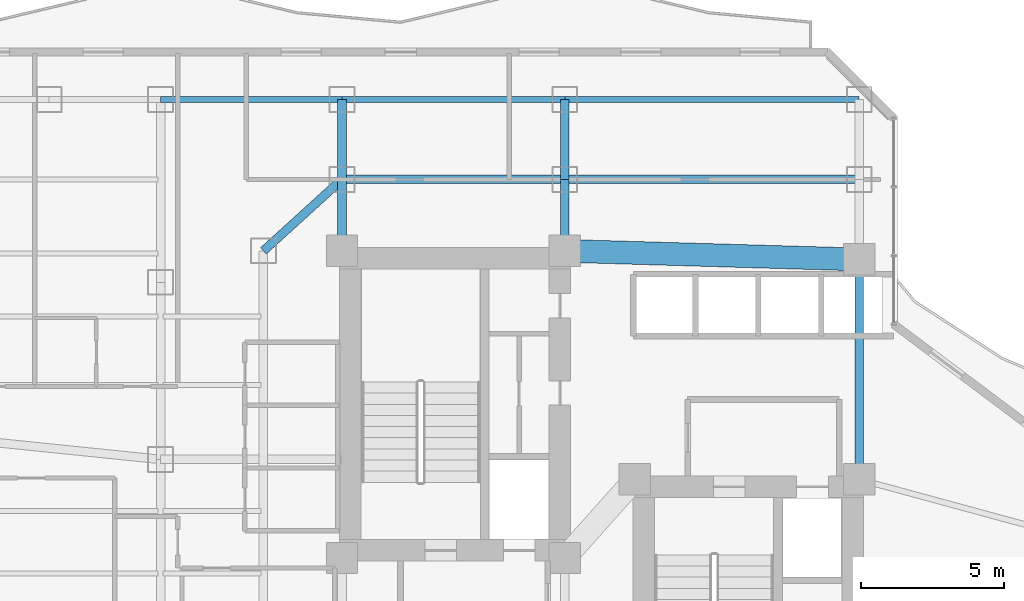
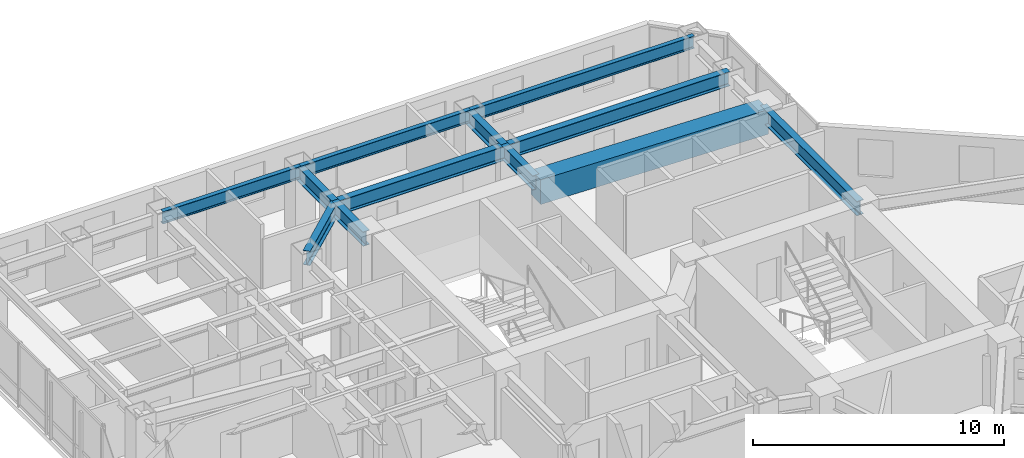
# One storey, part 18 of 30: 12 beams.
"""IFC4 building model written with IfcOpenShell, lengths in metres."""

from ifc_helpers import new_model, si_unit, direction, frame, origin, origin_2d, place, context, subcontext, project, spatial, rectangle, i_section, extrude, material, material_profile, profile_set, type_object, element, save


model = new_model("IFC4")

# Units and contexts
model_context = context("Model", 3, precision=1e-05, world=origin(), true_north=direction((0.0, 1.0)))
body_context = subcontext(model_context, "Body", "Model", "MODEL_VIEW")
ifc_project = project(units=[si_unit("LENGTHUNIT", "METRE"), si_unit("AREAUNIT", "SQUARE_METRE"), si_unit("VOLUMEUNIT", "CUBIC_METRE"), si_unit("PLANEANGLEUNIT", "RADIAN"), si_unit("MASSUNIT", "GRAM", prefix="KILO")], contexts=[model_context])

# Site, building, storey
site_placement = place(None, origin())
site = spatial("IfcSite", under=ifc_project, at=site_placement, CompositionType="ELEMENT")
building_placement = place(site_placement, origin())
building = spatial("IfcBuilding", under=site, at=building_placement, Name="Hatsunagi Terrace Concourse", CompositionType="ELEMENT")
storey_placement = place(building_placement, frame((0.0, 0.0, 74.60009765625)))
storey = spatial("IfcBuildingStorey", under=building, at=storey_placement, Name="L19", CompositionType="ELEMENT", Elevation=74.60009765625)

# Beams
ifc_material_1 = material(Name="Concrete Fc60", Category="concrete")
ifc_material_profile_1 = material_profile(ifc_material_1, rectangle(XDim=0.800048828125, YDim=1.199951171875, at=origin_2d()), Name="RC-800x1200")
ifc_profile_set_1 = profile_set([ifc_material_profile_1], Name="Concrete Fc60")
beam_type_1 = type_object("IfcBeamType", Name="CoreCouplingBeam_RC_800x1200", PredefinedType="BEAM", material=ifc_profile_set_1)
beam_1_placement = place(storey_placement, frame((33.35009765625, 43.300048828125, 2.52978515625), z_axis=(0.999575947545, -0.029119153303, 0.0), x_axis=(0.029119153303, 0.999575947545, 0.0)))
element("IfcBeam", 1, at=beam_1_placement, inside=storey, type_object=beam_type_1, Name="Beam CB-01 CB-L19-2", PredefinedType="BEAM", context=body_context, shape_type="SweptSolid", body=[
    extrude(rectangle(XDim=0.800048828125, YDim=1.199951171875, at=origin_2d()), origin(), (0.0, 0.0, 1.0), 10.30419921875),
])
ifc_material_2 = material(Name="Steel SN490B", Category="steel")
ifc_material_profile_2 = material_profile(ifc_material_2, i_section(OverallWidth=0.300048828125, OverallDepth=0.699951171875, WebThickness=0.012939453125, FlangeThickness=0.02392578125, FilletRadius=0.02197265625, at=origin_2d()), Name="H-700x300x13x24")
ifc_profile_set_2 = profile_set([ifc_material_profile_2], Name="Steel SN490B")
beam_type_2 = type_object("IfcBeamType", Name="HotelFloorGirder_H_700x300", PredefinedType="BEAM", material=ifc_profile_set_2)
beam_2_placement = place(storey_placement, frame((43.64990234375, 35.300048828125, 2.77978515625), z_axis=(0.0, 1.0, 0.0), x_axis=(-1.0, 0.0, 0.0)))
element("IfcBeam", 2, at=beam_2_placement, inside=storey, type_object=beam_type_2, Name="Beam G-04 BM-L19-CBK3", PredefinedType="BEAM", context=body_context, shape_type="SweptSolid", body=[
    extrude(i_section(OverallWidth=0.300048828125, OverallDepth=0.699951171875, WebThickness=0.012939453125, FlangeThickness=0.02392578125, FilletRadius=0.02197265625, at=origin_2d()), origin(), (0.0, 0.0, 1.0), 7.699951171875),
])
for number, where, z_axis, x_axis, name in (
    (3, (25.550048828125, 43.300048828125, 2.77978515625), (0.0, 1.0, 0.0), (-1.0, 0.0, 0.0), "Beam G-04 BM-L19-CN1"),
    (4, (33.35009765625, 43.300048828125, 2.77978515625), (0.0, 1.0, 0.0), (-1.0, 0.0, 0.0), "Beam G-04 BM-L19-CN2"),
):
    element("IfcBeam", number, at=place(storey_placement, frame(where, z_axis=z_axis, x_axis=x_axis)), inside=storey, type_object=beam_type_2, Name=name, PredefinedType="BEAM", context=body_context, shape_type="SweptSolid", body=[
        extrude(i_section(OverallWidth=0.300048828125, OverallDepth=0.699951171875, WebThickness=0.012939453125, FlangeThickness=0.02392578125, FilletRadius=0.02197265625, at=origin_2d()), origin(), (0.0, 0.0, 1.0), 2.5),
    ])
beam_3_placement = place(storey_placement, frame((25.550048828125, 45.800048828125, 2.77978515625), z_axis=(1.0, 0.0, 0.0), x_axis=(0.0, 1.0, 0.0)))
element("IfcBeam", 5, at=beam_3_placement, inside=storey, type_object=beam_type_2, Name="Beam G-04 BM-L19-CNEW1", PredefinedType="BEAM", context=body_context, shape_type="SweptSolid", body=[
    extrude(i_section(OverallWidth=0.300048828125, OverallDepth=0.699951171875, WebThickness=0.012939453125, FlangeThickness=0.02392578125, FilletRadius=0.02197265625, at=origin_2d()), origin(), (0.0, 0.0, 1.0), 7.800048828125),
])
beam_4_placement = place(storey_placement, frame((33.35009765625, 45.800048828125, 2.77978515625), z_axis=(1.0, 0.0, 0.0), x_axis=(0.0, 1.0, 0.0)))
element("IfcBeam", 6, at=beam_4_placement, inside=storey, type_object=beam_type_2, Name="Beam G-04 BM-L19-CNEW2", PredefinedType="BEAM", context=body_context, shape_type="SweptSolid", body=[
    extrude(i_section(OverallWidth=0.300048828125, OverallDepth=0.699951171875, WebThickness=0.012939453125, FlangeThickness=0.02392578125, FilletRadius=0.02197265625, at=origin_2d()), origin(), (0.0, 0.0, 1.0), 10.2998046875),
])
for number, where, z_axis, x_axis, name in (
    (7, (25.550048828125, 45.800048828125, 2.77978515625), (0.0, 1.0, 0.0), (-1.0, 0.0, 0.0), "Beam G-04 BM-L19-KN-WN4"),
    (8, (33.35009765625, 45.800048828125, 2.77978515625), (0.0, 1.0, 0.0), (-1.0, 0.0, 0.0), "Beam G-04 BM-L19-KN-WN5"),
):
    element("IfcBeam", number, at=place(storey_placement, frame(where, z_axis=z_axis, x_axis=x_axis)), inside=storey, type_object=beam_type_2, Name=name, PredefinedType="BEAM", context=body_context, shape_type="SweptSolid", body=[
        extrude(i_section(OverallWidth=0.300048828125, OverallDepth=0.699951171875, WebThickness=0.012939453125, FlangeThickness=0.02392578125, FilletRadius=0.02197265625, at=origin_2d()), origin(), (0.0, 0.0, 1.0), 2.800048828125),
    ])
beam_5_placement = place(storey_placement, frame((22.800048828125, 43.300048828125, 2.77978515625), z_axis=(0.739940073396, 0.672672793996, 0.0), x_axis=(-0.672672793996, 0.739940073396, 0.0)))
element("IfcBeam", 9, at=beam_5_placement, inside=storey, type_object=beam_type_2, Name="Beam G-04 BM-L19-CWEW-N", PredefinedType="BEAM", context=body_context, shape_type="SweptSolid", body=[
    extrude(i_section(OverallWidth=0.300048828125, OverallDepth=0.699951171875, WebThickness=0.012939453125, FlangeThickness=0.02392578125, FilletRadius=0.02197265625, at=origin_2d()), origin(), (0.0, 0.0, 1.0), 3.716552734375),
])
ifc_material_3 = material(Name="Steel SN490B", Category="steel")
ifc_material_profile_3 = material_profile(ifc_material_3, i_section(OverallWidth=0.199951171875, OverallDepth=0.60009765625, WebThickness=0.010986328125, FlangeThickness=0.01708984375, FilletRadius=0.01806640625, at=origin_2d()), Name="H-600x200x11x17")
ifc_profile_set_3 = profile_set([ifc_material_profile_3], Name="Steel SN490B")
beam_type_3 = type_object("IfcBeamType", Name="PerimeterSpandrel_H_600x200", PredefinedType="SPANDREL", material=ifc_profile_set_3)
beam_6_placement = place(storey_placement, frame((19.199951171875, 48.60009765625, 2.829833984375), z_axis=(1.0, 0.0, 0.0), x_axis=(0.0, 1.0, 0.0)))
element("IfcBeam", 10, at=beam_6_placement, inside=storey, type_object=beam_type_3, Name="Beam SP-01 BM-L19-WN-19", PredefinedType="SPANDREL", context=body_context, shape_type="SweptSolid", body=[
    extrude(i_section(OverallWidth=0.199951171875, OverallDepth=0.60009765625, WebThickness=0.010986328125, FlangeThickness=0.01708984375, FilletRadius=0.01806640625, at=origin_2d()), origin(), (0.0, 0.0, 1.0), 6.35009765625),
])
beam_7_placement = place(storey_placement, frame((25.550048828125, 48.60009765625, 2.829833984375), z_axis=(1.0, 0.0, 0.0), x_axis=(0.0, 1.0, 0.0)))
element("IfcBeam", 11, at=beam_7_placement, inside=storey, type_object=beam_type_3, Name="Beam SP-01 BM-L19-WN-25", PredefinedType="SPANDREL", context=body_context, shape_type="SweptSolid", body=[
    extrude(i_section(OverallWidth=0.199951171875, OverallDepth=0.60009765625, WebThickness=0.010986328125, FlangeThickness=0.01708984375, FilletRadius=0.01806640625, at=origin_2d()), origin(), (0.0, 0.0, 1.0), 7.800048828125),
])
beam_8_placement = place(storey_placement, frame((33.35009765625, 48.60009765625, 2.829833984375), z_axis=(1.0, 0.0, 0.0), x_axis=(0.0, 1.0, 0.0)))
element("IfcBeam", 12, at=beam_8_placement, inside=storey, type_object=beam_type_3, Name="Beam SP-01 BM-L19-WN-33", PredefinedType="SPANDREL", context=body_context, shape_type="SweptSolid", body=[
    extrude(i_section(OverallWidth=0.199951171875, OverallDepth=0.60009765625, WebThickness=0.010986328125, FlangeThickness=0.01708984375, FilletRadius=0.01806640625, at=origin_2d()), origin(), (0.0, 0.0, 1.0), 10.2998046875),
])

save(model, "model.ifc")
